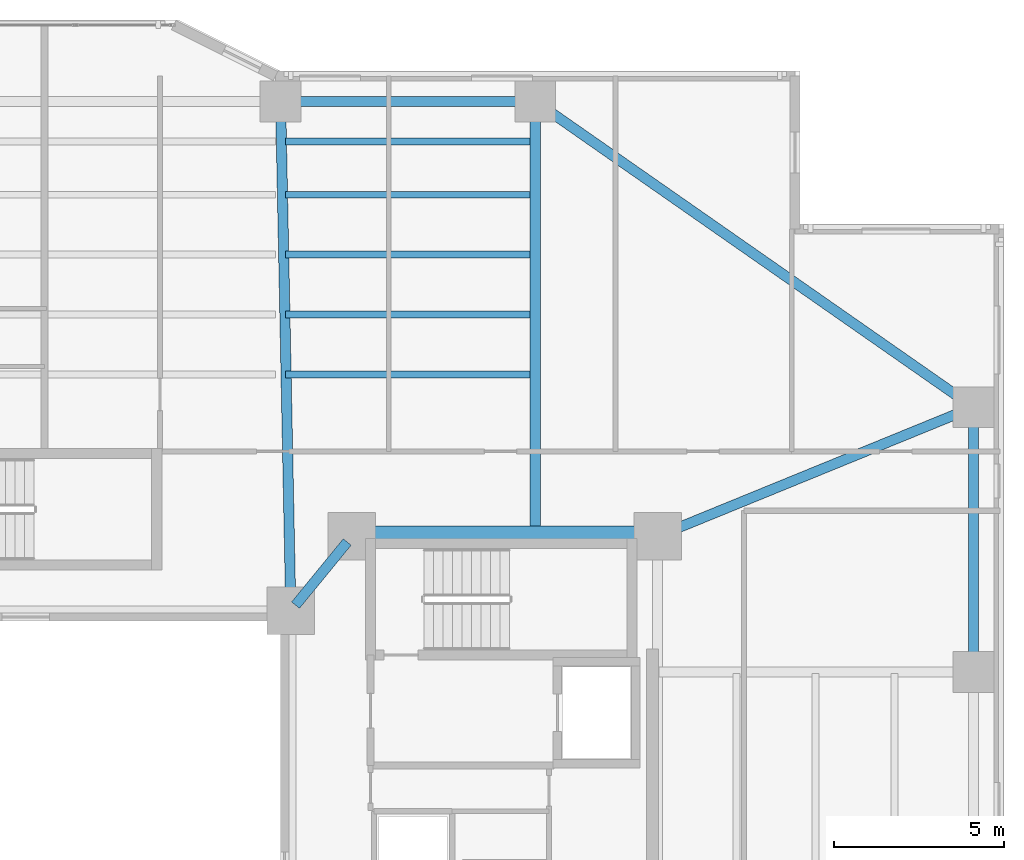
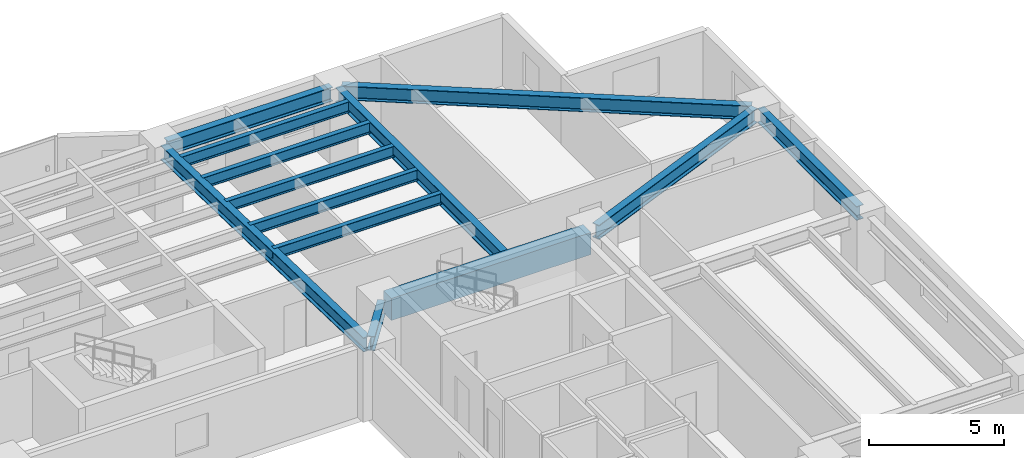
# One storey, part 7 of 19: 13 beams.
"""IFC4 building model written with IfcOpenShell, lengths in metres."""

import ifcopenshell
import ifcopenshell.guid

model = None  # the IFC model being written
_history = None  # IfcOwnerHistory: only IFC2X3 demands one
_inside = {}  # id of a spatial element -> (the spatial element, [elements in it])
_under = {}  # id of a project, library or spatial element -> (it, [spatial elements below it])
_declared = {}  # id of a project -> (the project, [libraries it declares])
_typed = {}  # id of a type object -> (the type object, [elements of that type])
_made_of = {}  # id of a material, layer set ... -> (it, [elements and type objects made of it])


def new_model(schema):
    """Start an empty IFC model of exactly this schema.

    Asked for "IFC4X3", IfcOpenShell would pick the latest addendum, in which some entities
    have other attributes; the version numbers below select the first issue.
    IFC2X3 requires an IfcOwnerHistory on every rooted entity: one is made here for all.
    """
    global model, _history
    if schema == "IFC4X3":
        model = ifcopenshell.file(schema_version=(4, 3, 0, 0))
    else:
        model = ifcopenshell.file(schema=schema)
    _inside.clear()
    _under.clear()
    _declared.clear()
    _typed.clear()
    _made_of.clear()
    _history = None
    if model.schema == "IFC2X3":
        org = make("IfcOrganization", Name="unknown")
        user = make(
            "IfcPersonAndOrganization",
            ThePerson=make("IfcPerson", FamilyName="unknown"),
            TheOrganization=org,
        )
        app = make(
            "IfcApplication",
            ApplicationDeveloper=org,
            Version="unknown",
            ApplicationFullName="unknown",
            ApplicationIdentifier="unknown",
        )
        _history = make(
            "IfcOwnerHistory",
            OwningUser=user,
            OwningApplication=app,
            ChangeAction="ADDED",
            CreationDate=0,
        )
    return model


def make(cls, **values):
    """One entity of the class cls with the attributes given. An attribute that is None is left unset."""
    return model.create_entity(
        cls, **{name: value for name, value in values.items() if value is not None}
    )


def rooted(cls, **values):
    """An entity with a GlobalId (a new one), such as an element, a storey or a relation."""
    return make(cls, GlobalId=ifcopenshell.guid.new(), OwnerHistory=_history, **values)


def si_unit(unit_type, name, prefix=None):
    """IfcSIUnit, for example si_unit("LENGTHUNIT", "METRE", prefix="MILLI")."""
    return make("IfcSIUnit", UnitType=unit_type, Prefix=prefix, Name=name)


def assignment(units):
    """IfcUnitAssignment: the units of a project."""
    return None if units is None else make("IfcUnitAssignment", Units=units)


def point(xyz):
    """IfcCartesianPoint."""
    return None if xyz is None else make("IfcCartesianPoint", Coordinates=xyz)


def direction(xyz):
    """IfcDirection."""
    return None if xyz is None else make("IfcDirection", DirectionRatios=xyz)


def frame(location, z_axis=None, x_axis=None):
    """IfcAxis2Placement3D, a coordinate frame: its origin and axes. An axis left out is left unset."""
    return make(
        "IfcAxis2Placement3D",
        Location=point(location),
        Axis=direction(z_axis),
        RefDirection=direction(x_axis),
    )


def frame_2d(location, x_axis=None):
    """IfcAxis2Placement2D, a coordinate frame in the plane: its origin and x axis."""
    return make(
        "IfcAxis2Placement2D", Location=point(location), RefDirection=direction(x_axis)
    )


def origin():
    """The frame at (0, 0, 0) with its axes left unset."""
    return frame((0.0, 0.0, 0.0))


def origin_2d():
    """The frame at (0, 0) in the plane with its x axis left unset."""
    return frame_2d((0.0, 0.0))


def place(relative_to, where):
    """IfcLocalPlacement: puts the frame where relative to a parent placement (None: the world)."""
    return make(
        "IfcLocalPlacement", PlacementRelTo=relative_to, RelativePlacement=where
    )


def context(
    kind, dimensions, precision=None, world=None, true_north=None, identifier=None
):
    """IfcGeometricRepresentationContext, for example the 3D "Model" context."""
    return make(
        "IfcGeometricRepresentationContext",
        ContextIdentifier=identifier,
        ContextType=kind,
        CoordinateSpaceDimension=dimensions,
        Precision=precision,
        WorldCoordinateSystem=world,
        TrueNorth=true_north,
    )


def subcontext(parent, identifier, kind, view, scale=None):
    """IfcGeometricRepresentationSubContext, for example "Body" below "Model"."""
    return make(
        "IfcGeometricRepresentationSubContext",
        ContextIdentifier=identifier,
        ContextType=kind,
        ParentContext=parent,
        TargetScale=scale,
        TargetView=view,
    )


def project(units=None, contexts=None):
    """IfcProject with its units and contexts."""
    return rooted(
        "IfcProject",
        Name="project",
        RepresentationContexts=contexts,
        UnitsInContext=assignment(units),
    )


def spatial(cls, under=None, at=None, **own):
    """A site, building, storey or space (cls), placed at a placement, below another one or the project."""
    s = rooted(cls, ObjectPlacement=at, **own)
    if under is not None:
        _under.setdefault(under.id(), (under, []))[1].append(s)
    return s


def profile(cls, at=None, kind="AREA", **sizes):
    """A parametric profile (cls). Its sizes go by their IFC names, for example OverallWidth=200.0."""
    return make(cls, ProfileType=kind, Position=at, **sizes)


def rectangle(**sizes):
    """IfcRectangleProfileDef."""
    return profile("IfcRectangleProfileDef", **sizes)


def i_section(**sizes):
    """IfcIShapeProfileDef."""
    return profile("IfcIShapeProfileDef", **sizes)


def extrude(swept, where, along, depth):
    """IfcExtrudedAreaSolid: the profile swept, set in the frame where, extruded along a direction by depth."""
    return make(
        "IfcExtrudedAreaSolid",
        SweptArea=swept,
        Position=where,
        ExtrudedDirection=direction(along),
        Depth=depth,
    )


def shape(context_of_items, identifier, shape_type, items):
    """IfcShapeRepresentation: the items that make up one representation, for example the "Body"."""
    return make(
        "IfcShapeRepresentation",
        ContextOfItems=context_of_items,
        RepresentationIdentifier=identifier,
        RepresentationType=shape_type,
        Items=items,
    )


def material(Name=None, Category=None):
    """IfcMaterial."""
    return make("IfcMaterial", Name=Name, Category=Category)


def material_profile(
    of_material, cross_section, Name=None, Category=None, Priority=None
):
    """IfcMaterialProfile: a cross section and its material."""
    return make(
        "IfcMaterialProfile",
        Name=Name,
        Material=of_material,
        Profile=cross_section,
        Priority=Priority,
        Category=Category,
    )


def profile_set(profiles, Name=None, composite=None):
    """IfcMaterialProfileSet."""
    return make(
        "IfcMaterialProfileSet",
        Name=Name,
        MaterialProfiles=profiles,
        CompositeProfile=composite,
    )


def made_of(thing, what):
    """Note that an element or type object is made of a material, layer set ...; save() writes the relation."""
    if what is not None:
        _made_of.setdefault(what.id(), (what, []))[1].append(thing)
    return thing


def type_object(cls, material=None, **own):
    """A type object (cls), such as IfcWallType, which elements share."""
    return made_of(rooted(cls, **own), material)


def element(
    cls,
    number,
    at=None,
    inside=None,
    cuts=None,
    type_object=None,
    material=None,
    context=None,
    identifier="Body",
    shape_type=None,
    held_by="IfcProductDefinitionShape",
    body=None,
    shapes=None,
    **own,
):
    """One element of the class cls, such as IfcWall. Its Tag is "e" and its number.

    at: its placement. inside: the storey or other place that contains it. cuts: it is an
    opening in that element (IfcRelVoidsElement). A single representation is given by context,
    identifier, shape_type and body (its items); several are given by shapes. held_by: the class
    of the entity that holds the representations. save() writes the other relations.
    """
    e = rooted(cls, Tag="e%d" % number, ObjectPlacement=at, **own)
    if body is not None:
        shapes = [shape(context, identifier, shape_type, body)]
    if shapes is not None:
        e.Representation = make(held_by, Representations=shapes)
    if inside is not None:
        _inside.setdefault(inside.id(), (inside, []))[1].append(e)
    if cuts is not None:
        rooted(
            "IfcRelVoidsElement", RelatingBuildingElement=cuts, RelatedOpeningElement=e
        )
    if type_object is not None:
        _typed.setdefault(type_object.id(), (type_object, []))[1].append(e)
    return made_of(e, material)


def aggregate(whole, parts):
    """IfcRelAggregates: a whole, such as a stair, and the parts it consists of."""
    return rooted("IfcRelAggregates", RelatingObject=whole, RelatedObjects=parts)


def save(model, path):
    """Write the relations noted so far, then the file.

    IfcRelAggregates (storeys below a building ...), IfcRelContainedInSpatialStructure (elements
    in a storey), IfcRelDefinesByType, IfcRelAssociatesMaterial and IfcRelDeclares: one each for
    every whole, place, type object, material and project.
    """
    for whole, parts in _under.values():
        aggregate(whole, parts)
    for where, things in _inside.values():
        rooted(
            "IfcRelContainedInSpatialStructure",
            RelatedElements=things,
            RelatingStructure=where,
        )
    for kind, things in _typed.values():
        rooted("IfcRelDefinesByType", RelatedObjects=things, RelatingType=kind)
    for what, things in _made_of.values():
        rooted("IfcRelAssociatesMaterial", RelatedObjects=things, RelatingMaterial=what)
    for by, libraries in _declared.values():
        rooted("IfcRelDeclares", RelatingContext=by, RelatedDefinitions=libraries)
    model.write(path)


model = new_model("IFC4")

# Units and contexts
model_context = context("Model", 3, precision=1e-05, world=origin(), true_north=direction((0.0, 1.0)))
body_context = subcontext(model_context, "Body", "Model", "MODEL_VIEW")
ifc_project = project(units=[si_unit("LENGTHUNIT", "METRE"), si_unit("AREAUNIT", "SQUARE_METRE"), si_unit("VOLUMEUNIT", "CUBIC_METRE"), si_unit("PLANEANGLEUNIT", "RADIAN"), si_unit("MASSUNIT", "GRAM", prefix="KILO")], contexts=[model_context])

# Site, building, storey
site_placement = place(None, origin())
site = spatial("IfcSite", under=ifc_project, at=site_placement, CompositionType="ELEMENT")
building_placement = place(site_placement, origin())
building = spatial("IfcBuilding", under=site, at=building_placement, Name="Tarnavaz Court Tower", CompositionType="ELEMENT")
storey_placement = place(building_placement, frame((0.0, 0.0, 54.14990234375)))
storey = spatial("IfcBuildingStorey", under=building, at=storey_placement, Name="L14", CompositionType="ELEMENT", Elevation=54.14990234375)

# Beams
ifc_material_1 = material(Name="Concrete C60/75", Category="concrete")
ifc_material_profile_1 = material_profile(ifc_material_1, rectangle(XDim=0.60009765625, YDim=1.0, at=origin_2d()), Name="RC 600X1000")
ifc_profile_set_1 = profile_set([ifc_material_profile_1], Name="Concrete C60/75")
beam_type_1 = type_object("IfcBeamType", Name="BM-CB1000", PredefinedType="LINTEL", material=ifc_profile_set_1)
beam_1_placement = place(storey_placement, frame((18.3798828125, 10.0, 2.60009765625), z_axis=(-1.0, 0.0, 0.0), x_axis=(0.0, -1.0, 0.0)))
element("IfcBeam", 1, at=beam_1_placement, inside=storey, type_object=beam_type_1, Name="L14 Beam IN-CE-NO-CE-NI", PredefinedType="LINTEL", context=body_context, shape_type="SweptSolid", body=[
    extrude(rectangle(XDim=0.60009765625, YDim=1.0, at=origin_2d()), origin(), (0.0, 0.0, 1.0), 8.559814453125),
])
ifc_material_2 = material(Name="Steel S355", Category="steel")
ifc_material_profile_2 = material_profile(ifc_material_2, i_section(OverallWidth=0.300048828125, OverallDepth=0.64990234375, WebThickness=0.01611328125, FlangeThickness=0.031005859375, FilletRadius=0.027099609375, at=origin_2d()), Name="HEB 650")
ifc_profile_set_2 = profile_set([ifc_material_profile_2], Name="Steel S355")
beam_type_2 = type_object("IfcBeamType", Name="BM-G-HEB650", PredefinedType="USERDEFINED", material=ifc_profile_set_2)
beam_2_placement = place(storey_placement, frame((9.460693359375, 9.82958984375, 2.775146484375), z_axis=(-0.633282058357, -0.773921077735, 0.0), x_axis=(0.773921077735, -0.633282058357, 0.0)))
element("IfcBeam", 2, at=beam_2_placement, inside=storey, type_object=beam_type_2, Name="L14 Beam IN-CE-NI-IW-NE", ObjectType="GIRDER", PredefinedType="USERDEFINED", context=body_context, shape_type="SweptSolid", body=[
    extrude(i_section(OverallWidth=0.300048828125, OverallDepth=0.64990234375, WebThickness=0.01611328125, FlangeThickness=0.031005859375, FilletRadius=0.027099609375, at=origin_2d()), origin(), (0.0, 0.0, 1.0), 2.402587890625),
])
beam_3_placement = place(storey_placement, frame((7.795654296875, 8.02001953125, 2.775146484375), z_axis=(-0.020000023066, 0.999799979535, 0.0), x_axis=(-0.999799979535, -0.020000023066, 0.0)))
element("IfcBeam", 3, at=beam_3_placement, inside=storey, type_object=beam_type_2, Name="L14 Beam RG-03", ObjectType="GIRDER", PredefinedType="USERDEFINED", context=body_context, shape_type="SweptSolid", body=[
    extrude(i_section(OverallWidth=0.300048828125, OverallDepth=0.64990234375, WebThickness=0.01611328125, FlangeThickness=0.031005859375, FilletRadius=0.027099609375, at=origin_2d()), origin(), (0.0, 0.0, 1.0), 14.56298828125),
])
beam_4_placement = place(storey_placement, frame((15.0, 10.0400390625, 2.775146484375), z_axis=(0.0, 1.0, 0.0), x_axis=(-1.0, 0.0, 0.0)))
element("IfcBeam", 4, at=beam_4_placement, inside=storey, type_object=beam_type_2, Name="L14 Beam RG-04", ObjectType="GIRDER", PredefinedType="USERDEFINED", context=body_context, shape_type="SweptSolid", body=[
    extrude(i_section(OverallWidth=0.300048828125, OverallDepth=0.64990234375, WebThickness=0.01611328125, FlangeThickness=0.031005859375, FilletRadius=0.027099609375, at=origin_2d()), origin(), (0.0, 0.0, 1.0), 12.5400390625),
])
beam_5_placement = place(storey_placement, frame((18.8037109375, 10.083251953125, 2.775146484375), z_axis=(0.925704761705, 0.378246869329, 0.0), x_axis=(-0.378246869329, 0.925704761705, 0.0)))
element("IfcBeam", 5, at=beam_5_placement, inside=storey, type_object=beam_type_2, Name="L14 Beam RG-12", ObjectType="GIRDER", PredefinedType="USERDEFINED", context=body_context, shape_type="SweptSolid", body=[
    extrude(i_section(OverallWidth=0.300048828125, OverallDepth=0.64990234375, WebThickness=0.01611328125, FlangeThickness=0.031005859375, FilletRadius=0.027099609375, at=origin_2d()), origin(), (0.0, 0.0, 1.0), 9.606201171875),
])
ifc_material_profile_3 = material_profile(ifc_material_2, i_section(OverallWidth=0.199951171875, OverallDepth=0.5, WebThickness=0.01025390625, FlangeThickness=0.01611328125, FilletRadius=0.02099609375, at=origin_2d()), Name="IPE 500")
ifc_profile_set_3 = profile_set([ifc_material_profile_3], Name="Steel S355")
beam_type_3 = type_object("IfcBeamType", Name="BM-J-IPE500", PredefinedType="JOIST", material=ifc_profile_set_3)
for number, where, z_axis, x_axis, name in (
    (6, (7.64990234375, 14.763916015625, 2.85009765625), (1.0, 0.0, 0.0), (0.0, 1.0, 0.0), "L14 Beam JN1-3"),
    (7, (7.64990234375, 16.528076171875, 2.85009765625), (1.0, 0.0, 0.0), (0.0, 1.0, 0.0), "L14 Beam JN2-3"),
    (8, (7.64990234375, 18.2919921875, 2.85009765625), (1.0, 0.0, 0.0), (0.0, 1.0, 0.0), "L14 Beam JN3-3"),
    (9, (7.64990234375, 20.055908203125, 2.85009765625), (1.0, 0.0, 0.0), (0.0, 1.0, 0.0), "L14 Beam JN4-3"),
    (10, (7.64990234375, 21.6240234375, 2.85009765625), (1.0, 0.0, 0.0), (0.0, 1.0, 0.0), "L14 Beam JN5-3"),
):
    element("IfcBeam", number, at=place(storey_placement, frame(where, z_axis=z_axis, x_axis=x_axis)), inside=storey, type_object=beam_type_3, Name=name, PredefinedType="JOIST", context=body_context, shape_type="SweptSolid", body=[
        extrude(i_section(OverallWidth=0.199951171875, OverallDepth=0.5, WebThickness=0.01025390625, FlangeThickness=0.01611328125, FilletRadius=0.02099609375, at=origin_2d()), origin(), (0.0, 0.0, 1.0), 7.2001953125),
    ])
ifc_material_profile_4 = material_profile(ifc_material_2, i_section(OverallWidth=0.300048828125, OverallDepth=0.639892578125, WebThickness=0.013427734375, FlangeThickness=0.02587890625, FilletRadius=0.027099609375, at=origin_2d()), Name="HEA 650")
ifc_profile_set_4 = profile_set([ifc_material_profile_4], Name="Steel S355")
beam_type_4 = type_object("IfcBeamType", Name="BM-SP-HEA650", PredefinedType="SPANDREL", material=ifc_profile_set_4)
beam_6_placement = place(storey_placement, frame((7.719970703125, 22.800048828125, 2.780029296875), z_axis=(1.0, 0.0, 0.0), x_axis=(0.0, 1.0, 0.0)))
element("IfcBeam", 11, at=beam_6_placement, inside=storey, type_object=beam_type_4, Name="L14 Beam PR-PN-3-PN-4", PredefinedType="SPANDREL", context=body_context, shape_type="SweptSolid", body=[
    extrude(i_section(OverallWidth=0.300048828125, OverallDepth=0.639892578125, WebThickness=0.013427734375, FlangeThickness=0.02587890625, FilletRadius=0.027099609375, at=origin_2d()), origin(), (0.0, 0.0, 1.0), 7.06005859375),
])
beam_7_placement = place(storey_placement, frame((27.89990234375, 6.219970703125, 2.780029296875), z_axis=(0.0, 1.0, 0.0), x_axis=(-1.0, 0.0, 0.0)))
element("IfcBeam", 12, at=beam_7_placement, inside=storey, type_object=beam_type_4, Name="L14 Beam PR-PE-3-PE-4", PredefinedType="SPANDREL", context=body_context, shape_type="SweptSolid", body=[
    extrude(i_section(OverallWidth=0.300048828125, OverallDepth=0.639892578125, WebThickness=0.013427734375, FlangeThickness=0.02587890625, FilletRadius=0.027099609375, at=origin_2d()), origin(), (0.0, 0.0, 1.0), 7.360107421875),
])
beam_8_placement = place(storey_placement, frame((15.180419921875, 22.674072265625, 2.780029296875), z_axis=(0.820123643324, -0.572186341729, 0.0), x_axis=(0.572186341729, 0.820123643324, 0.0)))
element("IfcBeam", 13, at=beam_8_placement, inside=storey, type_object=beam_type_4, Name="L14 Beam PR-PN-4-PE-4", PredefinedType="SPANDREL", context=body_context, shape_type="SweptSolid", body=[
    extrude(i_section(OverallWidth=0.300048828125, OverallDepth=0.639892578125, WebThickness=0.013427734375, FlangeThickness=0.02587890625, FilletRadius=0.027099609375, at=origin_2d()), origin(), (0.0, 0.0, 1.0), 15.289306640625),
])

save(model, "model.ifc")
